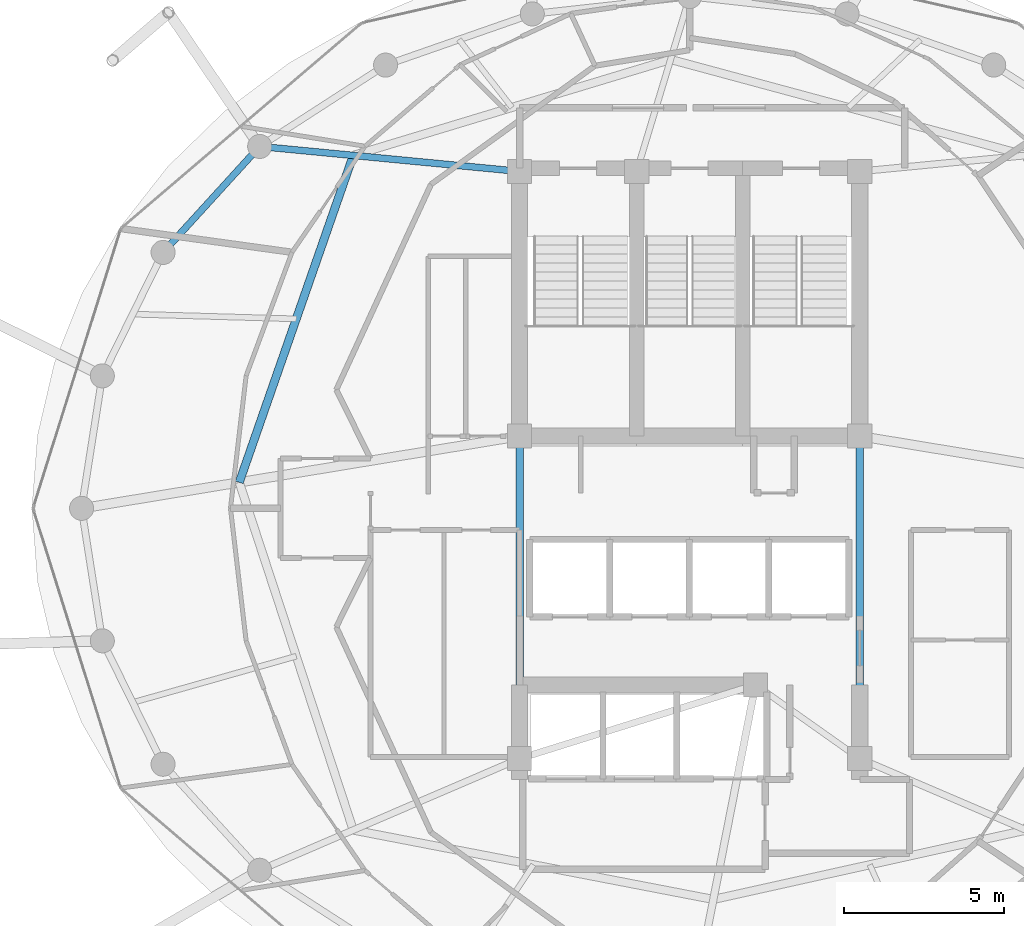
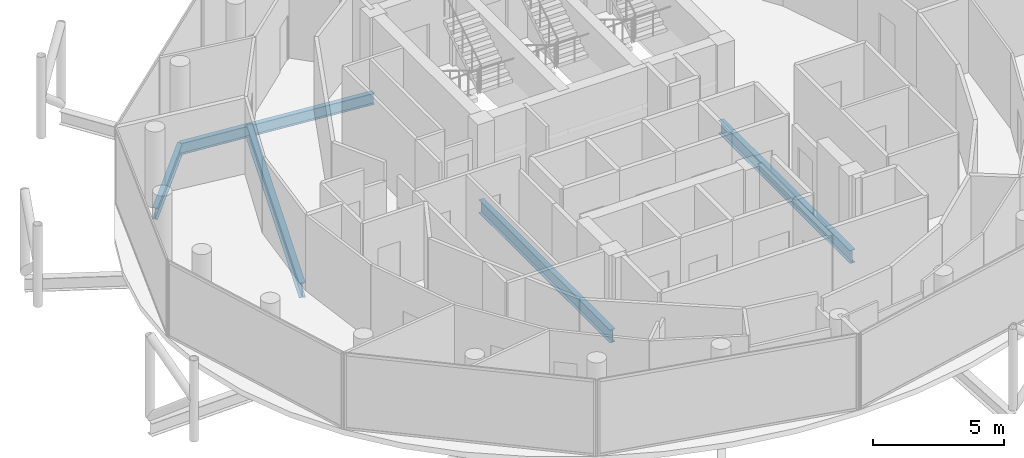
# One storey, part 8 of 24: 5 beams.
"""IFC4 building model written with IfcOpenShell, lengths in metres."""

from ifc_helpers import new_model, si_unit, direction, frame, origin, origin_2d, place, context, subcontext, project, spatial, i_section, extrude, material, material_profile, profile_set, type_object, element, save


model = new_model("IFC4")

# Units and contexts
model_context = context("Model", 3, precision=1e-05, world=origin(), true_north=direction((0.0, 1.0)))
body_context = subcontext(model_context, "Body", "Model", "MODEL_VIEW")
ifc_project = project(units=[si_unit("LENGTHUNIT", "METRE"), si_unit("AREAUNIT", "SQUARE_METRE"), si_unit("VOLUMEUNIT", "CUBIC_METRE"), si_unit("PLANEANGLEUNIT", "RADIAN"), si_unit("MASSUNIT", "GRAM", prefix="KILO")], contexts=[model_context])

# Site, building, storey
site_placement = place(None, origin())
site = spatial("IfcSite", under=ifc_project, at=site_placement, CompositionType="ELEMENT")
building_placement = place(site_placement, origin())
building = spatial("IfcBuilding", under=site, at=building_placement, Name="Nuhasar Tower", CompositionType="ELEMENT")
storey_placement = place(building_placement, frame((0.0, 0.0, 274.60009765625)))
storey = spatial("IfcBuildingStorey", under=building, at=storey_placement, Name="L68", CompositionType="ELEMENT", Elevation=274.60009765625)

# Beams
ifc_material = material(Name="Steel S355", Category="steel")
ifc_material_profile_1 = material_profile(ifc_material, i_section(OverallWidth=0.25390625, OverallDepth=0.68408203125, WebThickness=0.012451171875, FlangeThickness=0.018798828125, at=origin_2d()), Name="W27X94")
ifc_profile_set_1 = profile_set([ifc_material_profile_1], Name="Steel S355")
beam_type_1 = type_object("IfcBeamType", Name="BM-INRING-W27X94", PredefinedType="BEAM", material=ifc_profile_set_1)
beam_1_placement = place(storey_placement, frame((28.51611328125, 37.798095703125, -0.60205078125), z_axis=(-0.329211236979, -0.944256300718, 0.0), x_axis=(0.944256300718, -0.329211236979, 0.0)))
element("IfcBeam", 1, at=beam_1_placement, inside=storey, type_object=beam_type_1, Name="L68 Inner Header Beam 07", PredefinedType="BEAM", context=body_context, shape_type="SweptSolid", body=[
    extrude(i_section(OverallWidth=0.25390625, OverallDepth=0.68408203125, WebThickness=0.012451171875, FlangeThickness=0.018798828125, at=origin_2d()), origin(), (0.0, 0.0, 1.0), 10.78955078125),
])
ifc_material_profile_2 = material_profile(ifc_material, i_section(OverallWidth=0.208984375, OverallDepth=0.528076171875, WebThickness=0.009521484375, FlangeThickness=0.01318359375, at=origin_2d()), Name="W21X55")
ifc_profile_set_2 = profile_set([ifc_material_profile_2], Name="Steel S355")
beam_type_2 = type_object("IfcBeamType", Name="BM-RAD-W21X55", PredefinedType="BEAM", material=ifc_profile_set_2)
beam_2_placement = place(storey_placement, frame((33.699951171875, 37.300048828125, -0.524169921875), z_axis=(-0.99542073054, 0.095590633496, 0.0), x_axis=(-0.095590633496, -0.99542073054, 0.0)))
element("IfcBeam", 2, at=beam_2_placement, inside=storey, type_object=beam_type_2, Name="L68 Radial Floor Girder 07", PredefinedType="BEAM", context=body_context, shape_type="SweptSolid", body=[
    extrude(i_section(OverallWidth=0.208984375, OverallDepth=0.528076171875, WebThickness=0.009521484375, FlangeThickness=0.01318359375, at=origin_2d()), origin(), (0.0, 0.0, 1.0), 8.13720703125),
])
ifc_material_profile_3 = material_profile(ifc_material, i_section(OverallWidth=0.22900390625, OverallDepth=0.612060546875, WebThickness=0.011962890625, FlangeThickness=0.01953125, at=origin_2d()), Name="W24X84")
ifc_profile_set_3 = profile_set([ifc_material_profile_3], Name="Steel S355")
beam_type_3 = type_object("IfcBeamType", Name="BM-RAD-W24X84", PredefinedType="BEAM", material=ifc_profile_set_3)
for number, where, z_axis, x_axis, name in (
    (3, (44.300048828125, 19.0, -0.566162109375), (0.0, 1.0, 0.0), (-1.0, 0.0, 0.0), "L68 Core Ring Girder 3"),
    (4, (33.699951171875, 29.050048828125, -0.566162109375), (0.0, -1.0, 0.0), (1.0, 0.0, 0.0), "L68 Core Ring Girder 8"),
):
    element("IfcBeam", number, at=place(storey_placement, frame(where, z_axis=z_axis, x_axis=x_axis)), inside=storey, type_object=beam_type_3, Name=name, PredefinedType="BEAM", context=body_context, shape_type="SweptSolid", body=[
        extrude(i_section(OverallWidth=0.22900390625, OverallDepth=0.612060546875, WebThickness=0.011962890625, FlangeThickness=0.01953125, at=origin_2d()), origin(), (0.0, 0.0, 1.0), 10.050048828125),
    ])
ifc_material_profile_4 = material_profile(ifc_material, i_section(OverallWidth=0.2099609375, OverallDepth=0.537109375, WebThickness=0.010986328125, FlangeThickness=0.017333984375, at=origin_2d()), Name="W21X68")
ifc_profile_set_4 = profile_set([ifc_material_profile_4], Name="Steel S355")
beam_type_4 = type_object("IfcBeamType", Name="BM-RING-W21X68", PredefinedType="SPANDREL", material=ifc_profile_set_4)
beam_3_placement = place(storey_placement, frame((25.60009765625, 38.077880859375, -0.529052734375), z_axis=(-0.673686302939, -0.739017432293, 0.0), x_axis=(0.739017432293, -0.673686302939, 0.0)))
element("IfcBeam", 5, at=beam_3_placement, inside=storey, type_object=beam_type_4, Name="L68 Perimeter Ring Spandrel 10", PredefinedType="SPANDREL", context=body_context, shape_type="SweptSolid", body=[
    extrude(i_section(OverallWidth=0.2099609375, OverallDepth=0.537109375, WebThickness=0.010986328125, FlangeThickness=0.017333984375, at=origin_2d()), origin(), (0.0, 0.0, 1.0), 4.469482421875),
])

save(model, "model.ifc")
